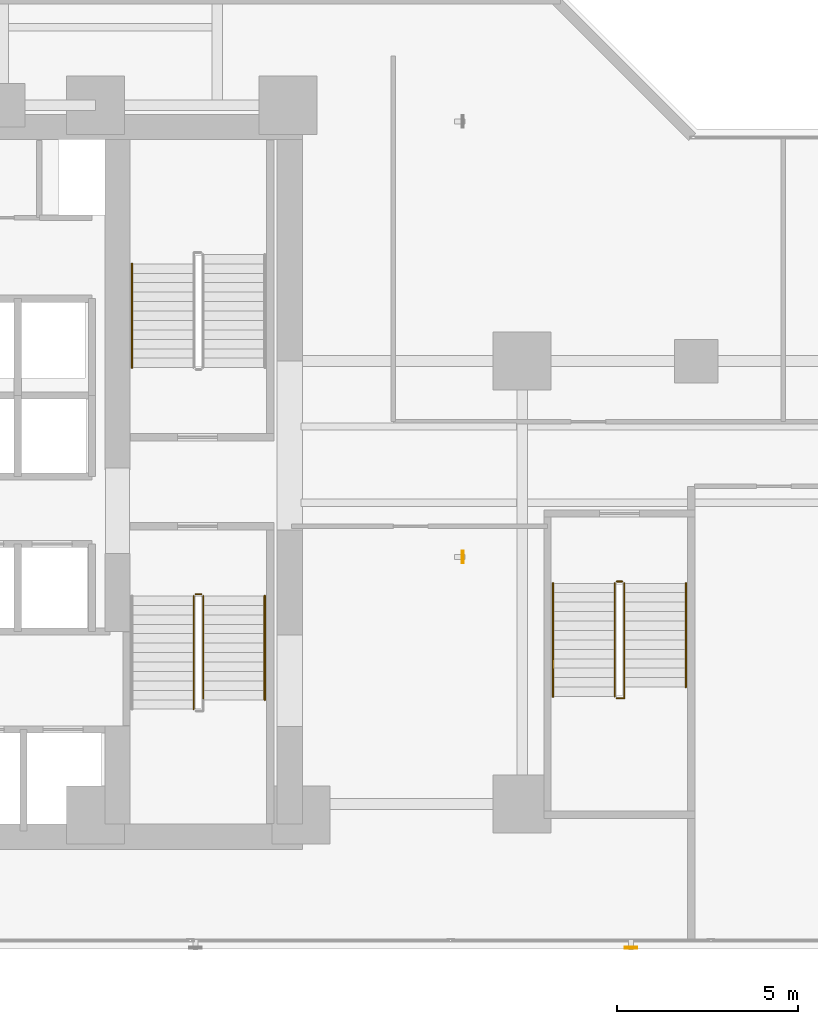
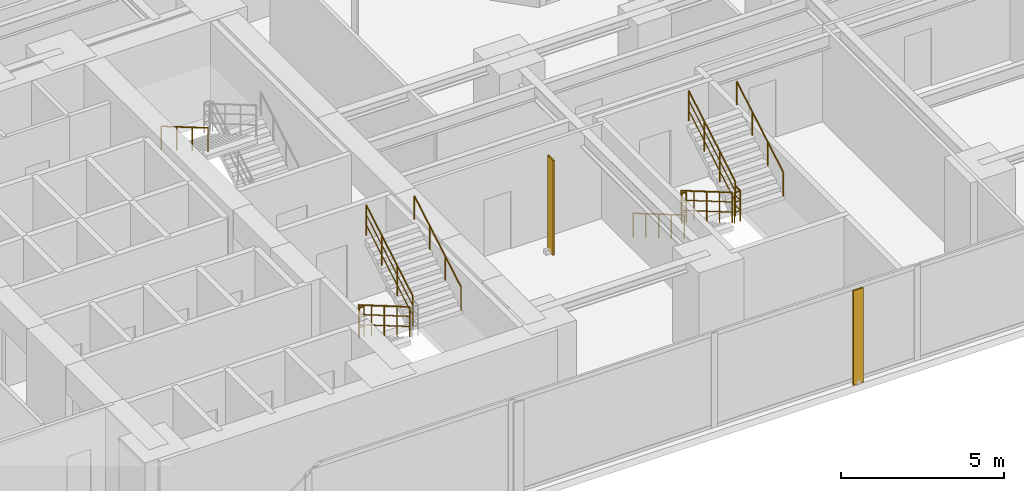
# One storey, part 27 of 30: 11 railings, 2 shading devices.
"""IFC4 building model written with IfcOpenShell, lengths in metres."""

from ifc_helpers import new_model, si_unit, direction, frame, origin, origin_2d, place, context, subcontext, project, spatial, hollow_rectangle, circle, extrude, material, material_profile, profile_set, type_object, element, save


model = new_model("IFC4")

# Units and contexts
model_context = context("Model", 3, precision=1e-05, world=origin(), true_north=direction((0.0, 1.0)))
body_context = subcontext(model_context, "Body", "Model", "MODEL_VIEW")
ifc_project = project(units=[si_unit("LENGTHUNIT", "METRE"), si_unit("AREAUNIT", "SQUARE_METRE"), si_unit("VOLUMEUNIT", "CUBIC_METRE"), si_unit("PLANEANGLEUNIT", "RADIAN"), si_unit("MASSUNIT", "GRAM", prefix="KILO")], contexts=[model_context])

# Site, building, storey
site_placement = place(None, origin())
site = spatial("IfcSite", under=ifc_project, at=site_placement, CompositionType="ELEMENT")
building_placement = place(site_placement, origin())
building = spatial("IfcBuilding", under=site, at=building_placement, Name="Kolvaren Waterfront Exchange", CompositionType="ELEMENT")
storey_placement = place(building_placement, frame((0.0, 0.0, 71.39990234375)))
storey = spatial("IfcBuildingStorey", under=building, at=storey_placement, Name="L18", CompositionType="ELEMENT", Elevation=71.39990234375)

# Shading devices
ifc_material_1 = material(Name="Anodised bronze aluminium 6063-T6", Category="aluminium")
ifc_material_profile = material_profile(ifc_material_1, hollow_rectangle(XDim=0.06005859375, YDim=0.35009765625, WallThickness=0.0048828125, at=origin_2d()), Name="BRZ-FIN-350x60x5")
ifc_profile_set = profile_set([ifc_material_profile], Name="Anodised bronze aluminium 6063-T6")
shading_device_type = type_object("IfcShadingDeviceType", Name="ARC-FIN-350", PredefinedType="USERDEFINED", material=ifc_profile_set)
for number, where, z_axis, x_axis, name in (
    (1, (30.199951171875, 1.239990234375, 0.0), (0.0, 0.0, 1.0), (0.0, -1.0, 0.0), "L18 anodised bronze solar shading fin FIN-L18-S3"),
    (2, (25.56005859375, 12.0, 0.0), (0.0, 0.0, 1.0), (1.0, 0.0, 0.0), "L18 anodised bronze solar shading fin FIN-L18-E1"),
):
    element("IfcShadingDevice", number, at=place(storey_placement, frame(where, z_axis=z_axis, x_axis=x_axis)), inside=storey, type_object=shading_device_type, Name=name, ObjectType="SOLAR FIN", PredefinedType="USERDEFINED", context=body_context, shape_type="SweptSolid", body=[
        extrude(hollow_rectangle(XDim=0.06005859375, YDim=0.35009765625, WallThickness=0.0048828125, at=origin_2d()), origin(), (0.0, 0.0, 1.0), 3.5400390625),
    ])

# Railings
ifc_material_2 = material(Name="Stainless steel 316", Category="steel")
railing_type_1 = type_object("IfcRailingType", Name="ARC-GUARD-STAIR", PredefinedType="GUARDRAIL", material=ifc_material_2)
railing_1_placement = place(storey_placement, frame((18.14990234375, 10.929931640625, 0.152099609375)))
element("IfcRailing", 3, at=railing_1_placement, inside=storey, type_object=railing_type_1, Name="L18 ST1 stair guard 1", PredefinedType="GUARDRAIL", context=body_context, shape_type="SweptSolid", body=[
    extrude(circle(Radius=0.02392578125, at=origin_2d()), frame((0.0, 0.0, 1.1259765625), z_axis=(0.0, -0.86329090724, 0.504706656858), x_axis=(1.0, 0.0, 0.0)), (0.0, 0.0, 1.0), 3.614013671875),
    extrude(circle(Radius=0.01611328125, at=origin_2d()), frame((0.0, 0.0, 0.390869140625), z_axis=(0.0, -0.86329090724, 0.504706656858), x_axis=(1.0, 0.0, 0.0)), (0.0, 0.0, 1.0), 3.614013671875),
    extrude(circle(Radius=0.01611328125, at=origin_2d()), frame((0.0, 0.0, 0.7705078125), z_axis=(0.0, -0.86329090724, 0.504706656858), x_axis=(1.0, 0.0, 0.0)), (0.0, 0.0, 1.0), 3.614013671875),
    extrude(circle(Radius=0.02099609375, at=origin_2d()), origin(), (0.0, 0.0, 1.0), 1.101806640625),
    extrude(circle(Radius=0.02099609375, at=origin_2d()), frame((0.0, -0.780029296875, 0.4560546875)), (0.0, 0.0, 1.0), 1.101806640625),
    extrude(circle(Radius=0.02099609375, at=origin_2d()), frame((0.0, -1.56005859375, 0.912109375)), (0.0, 0.0, 1.0), 1.101806640625),
    extrude(circle(Radius=0.02099609375, at=origin_2d()), frame((0.0, -2.33984375, 1.367919921875)), (0.0, 0.0, 1.0), 1.101806640625),
    extrude(circle(Radius=0.02099609375, at=origin_2d()), frame((0.0, -3.119873046875, 1.823974609375)), (0.0, 0.0, 1.0), 1.101806640625),
])
railing_2_placement = place(storey_placement, frame((18.409912109375, 8.070068359375, 2.128173828125)))
element("IfcRailing", 4, at=railing_2_placement, inside=storey, type_object=railing_type_1, Name="L18 ST1 stair guard 3", PredefinedType="GUARDRAIL", context=body_context, shape_type="SweptSolid", body=[
    extrude(circle(Radius=0.02392578125, at=origin_2d()), frame((0.0, 0.0, 1.1259765625), z_axis=(0.0, 0.86330272217, 0.504686447108), x_axis=(-1.0, 0.0, 0.0)), (0.0, 0.0, 1.0), 3.312744140625),
    extrude(circle(Radius=0.01611328125, at=origin_2d()), frame((0.0, 0.0, 0.390869140625), z_axis=(0.0, 0.86330272217, 0.504686447108), x_axis=(-1.0, 0.0, 0.0)), (0.0, 0.0, 1.0), 3.312744140625),
    extrude(circle(Radius=0.01611328125, at=origin_2d()), frame((0.0, 0.0, 0.7705078125), z_axis=(0.0, 0.86330272217, 0.504686447108), x_axis=(-1.0, 0.0, 0.0)), (0.0, 0.0, 1.0), 3.312744140625),
    extrude(circle(Radius=0.02099609375, at=origin_2d()), origin(), (0.0, 0.0, 1.0), 1.101806640625),
    extrude(circle(Radius=0.02099609375, at=origin_2d()), frame((0.0, 0.953369140625, 0.557373046875)), (0.0, 0.0, 1.0), 1.101806640625),
    extrude(circle(Radius=0.02099609375, at=origin_2d()), frame((0.0, 1.906494140625, 1.114501953125)), (0.0, 0.0, 1.0), 1.101806640625),
    extrude(circle(Radius=0.02099609375, at=origin_2d()), frame((0.0, 2.85986328125, 1.671875)), (0.0, 0.0, 1.0), 1.101806640625),
])
railing_3_placement = place(storey_placement, frame((18.199951171875, 10.97998046875, 0.0)))
element("IfcRailing", 5, at=railing_3_placement, inside=storey, type_object=railing_type_1, Name="L18 ST1 stair guard 4", PredefinedType="GUARDRAIL", context=body_context, shape_type="SweptSolid", body=[
    extrude(circle(Radius=0.02392578125, at=origin_2d()), frame((0.0, 0.0, 1.1259765625), z_axis=(1.0, 0.0, 0.0), x_axis=(0.0, 1.0, 0.0)), (0.0, 0.0, 1.0), 0.16015625),
    extrude(circle(Radius=0.01611328125, at=origin_2d()), frame((0.0, 0.0, 0.390869140625), z_axis=(1.0, 0.0, 0.0), x_axis=(0.0, 1.0, 0.0)), (0.0, 0.0, 1.0), 0.16015625),
    extrude(circle(Radius=0.01611328125, at=origin_2d()), frame((0.0, 0.0, 0.7705078125), z_axis=(1.0, 0.0, 0.0), x_axis=(0.0, 1.0, 0.0)), (0.0, 0.0, 1.0), 0.16015625),
    extrude(circle(Radius=0.02099609375, at=origin_2d()), origin(), (0.0, 0.0, 1.0), 1.101806640625),
    extrude(circle(Radius=0.02099609375, at=origin_2d()), frame((0.16015625, 0.0, 0.0)), (0.0, 0.0, 1.0), 1.101806640625),
])
railing_4_placement = place(storey_placement, frame((29.75, 11.280029296875, 0.152099609375)))
element("IfcRailing", 6, at=railing_4_placement, inside=storey, type_object=railing_type_1, Name="L18 ST3 stair guard 1", PredefinedType="GUARDRAIL", context=body_context, shape_type="SweptSolid", body=[
    extrude(circle(Radius=0.02392578125, at=origin_2d()), frame((0.0, 0.0, 1.1259765625), z_axis=(0.0, -0.86330811405, 0.504677223793), x_axis=(1.0, 0.0, 0.0)), (0.0, 0.0, 1.0), 3.6142578125),
    extrude(circle(Radius=0.01611328125, at=origin_2d()), frame((0.0, 0.0, 0.390869140625), z_axis=(0.0, -0.86330811405, 0.504677223793), x_axis=(1.0, 0.0, 0.0)), (0.0, 0.0, 1.0), 3.6142578125),
    extrude(circle(Radius=0.01611328125, at=origin_2d()), frame((0.0, 0.0, 0.7705078125), z_axis=(0.0, -0.86330811405, 0.504677223793), x_axis=(1.0, 0.0, 0.0)), (0.0, 0.0, 1.0), 3.6142578125),
    extrude(circle(Radius=0.02099609375, at=origin_2d()), origin(), (0.0, 0.0, 1.0), 1.101806640625),
    extrude(circle(Radius=0.02099609375, at=origin_2d()), frame((0.0, -0.780029296875, 0.4560546875)), (0.0, 0.0, 1.0), 1.101806640625),
    extrude(circle(Radius=0.02099609375, at=origin_2d()), frame((0.0, -1.56005859375, 0.912109375)), (0.0, 0.0, 1.0), 1.101806640625),
    extrude(circle(Radius=0.02099609375, at=origin_2d()), frame((0.0, -2.340087890625, 1.367919921875)), (0.0, 0.0, 1.0), 1.101806640625),
    extrude(circle(Radius=0.02099609375, at=origin_2d()), frame((0.0, -3.1201171875, 1.823974609375)), (0.0, 0.0, 1.0), 1.101806640625),
])
railing_5_placement = place(storey_placement, frame((29.800048828125, 8.110107421875, 1.97607421875)))
element("IfcRailing", 7, at=railing_5_placement, inside=storey, type_object=railing_type_1, Name="L18 ST3 stair guard 2", PredefinedType="GUARDRAIL", context=body_context, shape_type="SweptSolid", body=[
    extrude(circle(Radius=0.02392578125, at=origin_2d()), frame((0.0, 0.0, 1.1259765625), z_axis=(1.0, 0.0, 0.0), x_axis=(0.0, 1.0, 0.0)), (0.0, 0.0, 1.0), 0.2099609375),
    extrude(circle(Radius=0.01611328125, at=origin_2d()), frame((0.0, 0.0, 0.390869140625), z_axis=(1.0, 0.0, 0.0), x_axis=(0.0, 1.0, 0.0)), (0.0, 0.0, 1.0), 0.2099609375),
    extrude(circle(Radius=0.01611328125, at=origin_2d()), frame((0.0, 0.0, 0.7705078125), z_axis=(1.0, 0.0, 0.0), x_axis=(0.0, 1.0, 0.0)), (0.0, 0.0, 1.0), 0.2099609375),
    extrude(circle(Radius=0.02392578125, at=origin_2d()), frame((0.2099609375, 0.0, 1.1259765625), z_axis=(0.0, 1.0, 0.0), x_axis=(-1.0, 0.0, 0.0)), (0.0, 0.0, 1.0), 0.309814453125),
    extrude(circle(Radius=0.01611328125, at=origin_2d()), frame((0.2099609375, 0.0, 0.390869140625), z_axis=(0.0, 1.0, 0.0), x_axis=(-1.0, 0.0, 0.0)), (0.0, 0.0, 1.0), 0.309814453125),
    extrude(circle(Radius=0.01611328125, at=origin_2d()), frame((0.2099609375, 0.0, 0.7705078125), z_axis=(0.0, 1.0, 0.0), x_axis=(-1.0, 0.0, 0.0)), (0.0, 0.0, 1.0), 0.309814453125),
    extrude(circle(Radius=0.02099609375, at=origin_2d()), origin(), (0.0, 0.0, 1.0), 1.101806640625),
    extrude(circle(Radius=0.02099609375, at=origin_2d()), frame((0.2099609375, 0.0, 0.0)), (0.0, 0.0, 1.0), 1.101806640625),
    extrude(circle(Radius=0.02099609375, at=origin_2d()), frame((0.2099609375, 0.309814453125, 0.0)), (0.0, 0.0, 1.0), 1.101806640625),
])
railing_6_placement = place(storey_placement, frame((30.010009765625, 8.419921875, 2.128173828125)))
element("IfcRailing", 8, at=railing_6_placement, inside=storey, type_object=railing_type_1, Name="L18 ST3 stair guard 3", PredefinedType="GUARDRAIL", context=body_context, shape_type="SweptSolid", body=[
    extrude(circle(Radius=0.02392578125, at=origin_2d()), frame((0.0, 0.0, 1.1259765625), z_axis=(0.0, 0.863321491973, 0.504654338629), x_axis=(-1.0, 0.0, 0.0)), (0.0, 0.0, 1.0), 3.31298828125),
    extrude(circle(Radius=0.01611328125, at=origin_2d()), frame((0.0, 0.0, 0.390869140625), z_axis=(0.0, 0.863321491973, 0.504654338629), x_axis=(-1.0, 0.0, 0.0)), (0.0, 0.0, 1.0), 3.31298828125),
    extrude(circle(Radius=0.01611328125, at=origin_2d()), frame((0.0, 0.0, 0.7705078125), z_axis=(0.0, 0.863321491973, 0.504654338629), x_axis=(-1.0, 0.0, 0.0)), (0.0, 0.0, 1.0), 3.31298828125),
    extrude(circle(Radius=0.02099609375, at=origin_2d()), origin(), (0.0, 0.0, 1.0), 1.101806640625),
    extrude(circle(Radius=0.02099609375, at=origin_2d()), frame((0.0, 0.953369140625, 0.557373046875)), (0.0, 0.0, 1.0), 1.101806640625),
    extrude(circle(Radius=0.02099609375, at=origin_2d()), frame((0.0, 1.90673828125, 1.114501953125)), (0.0, 0.0, 1.0), 1.101806640625),
    extrude(circle(Radius=0.02099609375, at=origin_2d()), frame((0.0, 2.860107421875, 1.671875)), (0.0, 0.0, 1.0), 1.101806640625),
])
railing_7_placement = place(storey_placement, frame((29.800048828125, 11.330078125, 0.0)))
element("IfcRailing", 9, at=railing_7_placement, inside=storey, type_object=railing_type_1, Name="L18 ST3 stair guard 4", PredefinedType="GUARDRAIL", context=body_context, shape_type="SweptSolid", body=[
    extrude(circle(Radius=0.02392578125, at=origin_2d()), frame((0.0, 0.0, 1.1259765625), z_axis=(1.0, 0.0, 0.0), x_axis=(0.0, 1.0, 0.0)), (0.0, 0.0, 1.0), 0.159912109375),
    extrude(circle(Radius=0.01611328125, at=origin_2d()), frame((0.0, 0.0, 0.390869140625), z_axis=(1.0, 0.0, 0.0), x_axis=(0.0, 1.0, 0.0)), (0.0, 0.0, 1.0), 0.159912109375),
    extrude(circle(Radius=0.01611328125, at=origin_2d()), frame((0.0, 0.0, 0.7705078125), z_axis=(1.0, 0.0, 0.0), x_axis=(0.0, 1.0, 0.0)), (0.0, 0.0, 1.0), 0.159912109375),
    extrude(circle(Radius=0.02099609375, at=origin_2d()), origin(), (0.0, 0.0, 1.0), 1.101806640625),
    extrude(circle(Radius=0.02099609375, at=origin_2d()), frame((0.159912109375, 0.0, 0.0)), (0.0, 0.0, 1.0), 1.101806640625),
])
railing_type_2 = type_object("IfcRailingType", Name="ARC-HANDRAIL-900", PredefinedType="HANDRAIL", material=ifc_material_2)
railing_8_placement = place(storey_placement, frame((20.110107421875, 8.070068359375, 2.128173828125)))
element("IfcRailing", 10, at=railing_8_placement, inside=storey, type_object=railing_type_2, Name="L18 ST1 stair handrail 2", PredefinedType="HANDRAIL", context=body_context, shape_type="SweptSolid", body=[
    extrude(circle(Radius=0.02392578125, at=origin_2d()), frame((0.0, 0.0, 0.8759765625), z_axis=(0.0, 0.86330272217, 0.504686447108), x_axis=(-1.0, 0.0, 0.0)), (0.0, 0.0, 1.0), 3.312744140625),
    extrude(circle(Radius=0.02099609375, at=origin_2d()), origin(), (0.0, 0.0, 1.0), 0.851806640625),
    extrude(circle(Radius=0.02099609375, at=origin_2d()), frame((0.0, 0.953369140625, 0.557373046875)), (0.0, 0.0, 1.0), 0.851806640625),
    extrude(circle(Radius=0.02099609375, at=origin_2d()), frame((0.0, 1.906494140625, 1.114501953125)), (0.0, 0.0, 1.0), 0.851806640625),
    extrude(circle(Radius=0.02099609375, at=origin_2d()), frame((0.0, 2.85986328125, 1.671875)), (0.0, 0.0, 1.0), 0.851806640625),
])
railing_9_placement = place(storey_placement, frame((16.449951171875, 20.080078125, 2.128173828125)))
element("IfcRailing", 11, at=railing_9_placement, inside=storey, type_object=railing_type_2, Name="L18 ST2 stair handrail 2", PredefinedType="HANDRAIL", context=body_context, shape_type="SweptSolid", body=[
    extrude(circle(Radius=0.02392578125, at=origin_2d()), frame((0.0, 0.0, 0.8759765625), z_axis=(0.0, -0.863321491973, 0.504654338629), x_axis=(1.0, 0.0, 0.0)), (0.0, 0.0, 1.0), 3.31298828125),
    extrude(circle(Radius=0.02099609375, at=origin_2d()), origin(), (0.0, 0.0, 1.0), 0.851806640625),
    extrude(circle(Radius=0.02099609375, at=origin_2d()), frame((0.0, -0.953369140625, 0.557373046875)), (0.0, 0.0, 1.0), 0.851806640625),
    extrude(circle(Radius=0.02099609375, at=origin_2d()), frame((0.0, -1.90673828125, 1.114501953125)), (0.0, 0.0, 1.0), 0.851806640625),
    extrude(circle(Radius=0.02099609375, at=origin_2d()), frame((0.0, -2.860107421875, 1.671875)), (0.0, 0.0, 1.0), 0.851806640625),
])
railing_10_placement = place(storey_placement, frame((28.050048828125, 11.280029296875, 0.152099609375)))
element("IfcRailing", 12, at=railing_10_placement, inside=storey, type_object=railing_type_2, Name="L18 ST3 stair handrail 1", PredefinedType="HANDRAIL", context=body_context, shape_type="SweptSolid", body=[
    extrude(circle(Radius=0.02392578125, at=origin_2d()), frame((0.0, 0.0, 0.8759765625), z_axis=(0.0, -0.86330811405, 0.504677223793), x_axis=(1.0, 0.0, 0.0)), (0.0, 0.0, 1.0), 3.6142578125),
    extrude(circle(Radius=0.02099609375, at=origin_2d()), origin(), (0.0, 0.0, 1.0), 0.851806640625),
    extrude(circle(Radius=0.02099609375, at=origin_2d()), frame((0.0, -0.780029296875, 0.4560546875)), (0.0, 0.0, 1.0), 0.851806640625),
    extrude(circle(Radius=0.02099609375, at=origin_2d()), frame((0.0, -1.56005859375, 0.912109375)), (0.0, 0.0, 1.0), 0.851806640625),
    extrude(circle(Radius=0.02099609375, at=origin_2d()), frame((0.0, -2.340087890625, 1.367919921875)), (0.0, 0.0, 1.0), 0.851806640625),
    extrude(circle(Radius=0.02099609375, at=origin_2d()), frame((0.0, -3.1201171875, 1.823974609375)), (0.0, 0.0, 1.0), 0.851806640625),
])
railing_11_placement = place(storey_placement, frame((31.7099609375, 8.419921875, 2.128173828125)))
element("IfcRailing", 13, at=railing_11_placement, inside=storey, type_object=railing_type_2, Name="L18 ST3 stair handrail 2", PredefinedType="HANDRAIL", context=body_context, shape_type="SweptSolid", body=[
    extrude(circle(Radius=0.02392578125, at=origin_2d()), frame((0.0, 0.0, 0.8759765625), z_axis=(0.0, 0.863321491973, 0.504654338629), x_axis=(-1.0, 0.0, 0.0)), (0.0, 0.0, 1.0), 3.31298828125),
    extrude(circle(Radius=0.02099609375, at=origin_2d()), origin(), (0.0, 0.0, 1.0), 0.851806640625),
    extrude(circle(Radius=0.02099609375, at=origin_2d()), frame((0.0, 0.953369140625, 0.557373046875)), (0.0, 0.0, 1.0), 0.851806640625),
    extrude(circle(Radius=0.02099609375, at=origin_2d()), frame((0.0, 1.90673828125, 1.114501953125)), (0.0, 0.0, 1.0), 0.851806640625),
    extrude(circle(Radius=0.02099609375, at=origin_2d()), frame((0.0, 2.860107421875, 1.671875)), (0.0, 0.0, 1.0), 0.851806640625),
])

save(model, "model.ifc")
